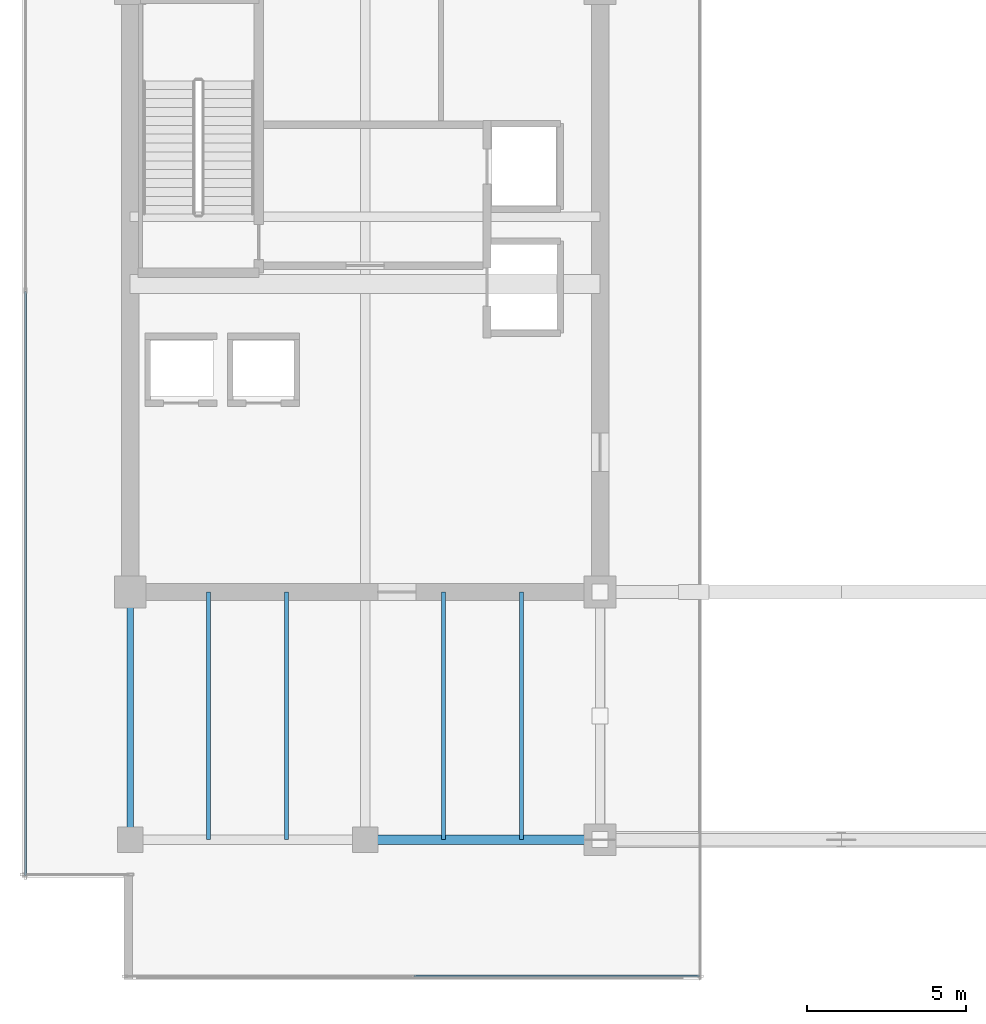
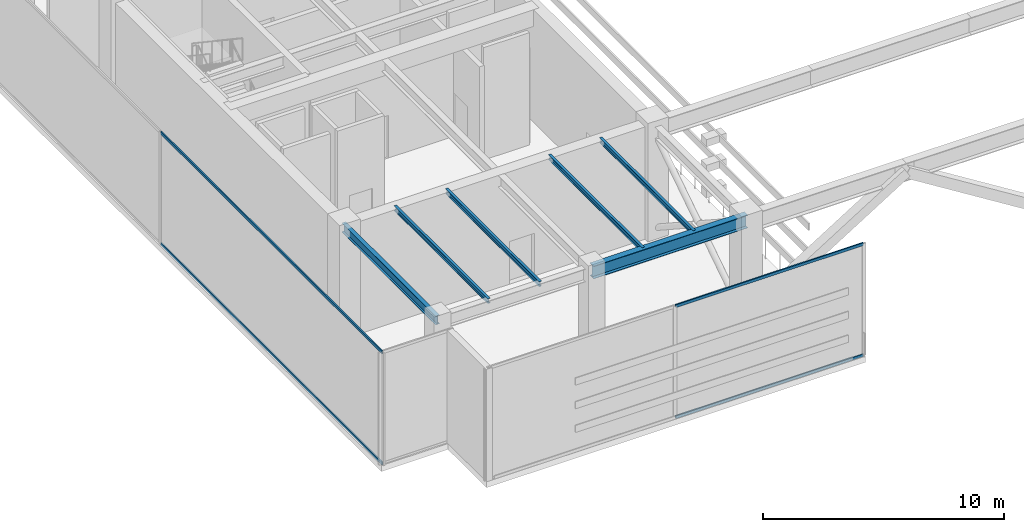
# One storey, part 3 of 30: 6 beams, 4 members, 2 elements without a shape of their own.
"""IFC4 building model written with IfcOpenShell, lengths in metres."""

from ifc_helpers import new_model, si_unit, direction, frame, origin, origin_2d, place, context, subcontext, project, spatial, hollow_rectangle, i_section, extrude, source, transform, mapped, material, layer, layer_set, material_profile, profile_set, type_object, type_shapes, element, aggregate, save


model = new_model("IFC4")

# Units and contexts
model_context = context("Model", 3, precision=1e-05, world=origin(), true_north=direction((0.0, 1.0)))
body_context = subcontext(model_context, "Body", "Model", "MODEL_VIEW")
ifc_project = project(units=[si_unit("LENGTHUNIT", "METRE"), si_unit("AREAUNIT", "SQUARE_METRE"), si_unit("VOLUMEUNIT", "CUBIC_METRE"), si_unit("PLANEANGLEUNIT", "RADIAN"), si_unit("MASSUNIT", "GRAM", prefix="KILO")], contexts=[model_context])

# Site, building, storey
site_placement = place(None, origin())
site = spatial("IfcSite", under=ifc_project, at=site_placement, CompositionType="ELEMENT")
building_placement = place(site_placement, origin())
building = spatial("IfcBuilding", under=site, at=building_placement, Name="Haelvirn Gate Laboratories", CompositionType="ELEMENT")
storey_placement = place(building_placement, frame((0.0, 0.0, 291.60009765625)))
storey = spatial("IfcBuildingStorey", under=building, at=storey_placement, Name="L70", CompositionType="ELEMENT", Elevation=291.60009765625)

# Beams
ifc_material_1 = material(Name="Steel SM355", Category="steel")
ifc_material_profile_1 = material_profile(ifc_material_1, i_section(OverallWidth=0.300048828125, OverallDepth=0.64990234375, WebThickness=0.012939453125, FlangeThickness=0.02197265625, at=origin_2d()), Name="H-650x300x13x22")
ifc_profile_set_1 = profile_set([ifc_material_profile_1], Name="Steel SM355")
beam_type_1 = type_object("IfcBeamType", Name="BM-G-650", PredefinedType="BEAM", material=ifc_profile_set_1)
shared_shape_1 = source(origin(), body_context, "Body", "SweptSolid", [
    extrude(i_section(OverallWidth=0.300048828125, OverallDepth=0.64990234375, WebThickness=0.012939453125, FlangeThickness=0.02197265625, at=origin_2d()), origin(), (0.0, 0.0, 1.0), 7.39990234375),
])
type_shapes(beam_type_1, [shared_shape_1])
beam_1_placement = place(storey_placement, frame((14.800048828125, 7.0, 5.375), z_axis=(1.0, 0.0, 0.0), x_axis=(0.0, 1.0, 0.0)))
element("IfcBeam", 1, at=beam_1_placement, inside=storey, type_object=beam_type_1, Name="L70 Primary Girder Y7.0 (14.8-22.2)", PredefinedType="BEAM", context=body_context, shape_type="MappedRepresentation", body=[
    mapped(shared_shape_1, transform((0.0, 0.0, 0.0), scale=1.0)),
])
ifc_material_profile_2 = material_profile(ifc_material_1, i_section(OverallWidth=0.199951171875, OverallDepth=0.449951171875, WebThickness=0.009033203125, FlangeThickness=0.013916015625, at=origin_2d()), Name="H-450x200x9x14")
ifc_profile_set_2 = profile_set([ifc_material_profile_2], Name="Steel SM355")
beam_type_2 = type_object("IfcBeamType", Name="BM-SP-450", PredefinedType="SPANDREL", material=ifc_profile_set_2)
shared_shape_2 = source(origin(), body_context, "Body", "SweptSolid", [
    extrude(i_section(OverallWidth=0.199951171875, OverallDepth=0.449951171875, WebThickness=0.009033203125, FlangeThickness=0.013916015625, at=origin_2d()), origin(), (0.0, 0.0, 1.0), 7.800048828125),
])
type_shapes(beam_type_2, [shared_shape_2])
beam_2_placement = place(storey_placement, frame((7.39990234375, 7.0, 5.474853515625), z_axis=(0.0, 1.0, 0.0), x_axis=(-1.0, 0.0, 0.0)))
element("IfcBeam", 2, at=beam_2_placement, inside=storey, type_object=beam_type_2, Name="L70 Perimeter Spandrel X7.4 (7.0-14.8)", PredefinedType="SPANDREL", context=body_context, shape_type="MappedRepresentation", body=[
    mapped(shared_shape_2, transform((0.0, 0.0, 0.0), scale=1.0)),
])
ifc_material_profile_3 = material_profile(ifc_material_1, i_section(OverallWidth=0.125, OverallDepth=0.25, WebThickness=0.006103515625, FlangeThickness=0.009033203125, at=origin_2d()), Name="H-250x125x6x9")
ifc_profile_set_3 = profile_set([ifc_material_profile_3], Name="Steel SM355")
beam_type_3 = type_object("IfcBeamType", Name="BM-J-250", PredefinedType="JOIST", material=ifc_profile_set_3)
shared_shape_3 = source(origin(), body_context, "Body", "SweptSolid", [
    extrude(i_section(OverallWidth=0.125, OverallDepth=0.25, WebThickness=0.006103515625, FlangeThickness=0.009033203125, at=origin_2d()), origin(), (0.0, 0.0, 1.0), 7.800048828125),
])
type_shapes(beam_type_3, [shared_shape_3])
for number, where, z_axis, x_axis, name in (
    (3, (9.8701171875, 7.0, 5.574951171875), (0.0, 1.0, 0.0), (-1.0, 0.0, 0.0), "L70 Composite Lab Joist South X9.87"),
    (4, (12.330078125, 7.0, 5.574951171875), (0.0, 1.0, 0.0), (-1.0, 0.0, 0.0), "L70 Composite Lab Joist South X12.33"),
    (5, (17.27001953125, 7.0, 5.574951171875), (0.0, 1.0, 0.0), (-1.0, 0.0, 0.0), "L70 Composite Lab Joist South X17.27"),
    (6, (19.72998046875, 7.0, 5.574951171875), (0.0, 1.0, 0.0), (-1.0, 0.0, 0.0), "L70 Composite Lab Joist South X19.73"),
):
    element("IfcBeam", number, at=place(storey_placement, frame(where, z_axis=z_axis, x_axis=x_axis)), inside=storey, type_object=beam_type_3, Name=name, PredefinedType="JOIST", context=body_context, shape_type="MappedRepresentation", body=[
        mapped(shared_shape_3, transform((0.0, 0.0, 0.0), scale=1.0)),
    ])

# Curtain wall, members
ifc_material_2 = material(Name="Anodised bronze unitised aluminium & triple low-E glass", Category="aluminium")
ifc_layer = layer(ifc_material_2, 0.176025390625, Name="CW-SYS-4")
ifc_layer_set = layer_set([ifc_layer], Name="Anodised bronze unitised aluminium & triple low-E glass")
curtain_wall_type = type_object("IfcCurtainWallType", Name="CW-SYS-4", PredefinedType="NOTDEFINED", material=ifc_layer_set)
curtain_wall_1_placement = place(storey_placement, origin())
curtain_wall_1 = element("IfcCurtainWall", 7, at=curtain_wall_1_placement, inside=storey, type_object=curtain_wall_type, Name="L70 Unitised Curtain Wall CW-L70-P0-E00-1", PredefinedType="NOTDEFINED")
ifc_material_3 = material(Name="Extruded aluminium 6063-T6 (anodised bronze)", Category="aluminium")
ifc_material_profile_4 = material_profile(ifc_material_3, hollow_rectangle(XDim=0.06494140625, YDim=0.139892578125, WallThickness=0.00390625, at=origin_2d()), Name="CWT-140x65x4")
ifc_profile_set_4 = profile_set([ifc_material_profile_4], Name="Extruded aluminium 6063-T6 (anodised bronze)")
member_type = type_object("IfcMemberType", Name="CWT-T140", PredefinedType="USERDEFINED", material=ifc_profile_set_4)
shared_shape_4 = source(origin(), body_context, "Body", "SweptSolid", [
    extrude(hollow_rectangle(XDim=0.06494140625, YDim=0.139892578125, WallThickness=0.00390625, at=origin_2d()), origin(), (0.0, 0.0, 1.0), 8.9951171875),
])
member_1_placement = place(storey_placement, frame((16.3349609375, 2.699951171875, 0.032470703125), z_axis=(1.0, 0.0, 0.0), x_axis=(0.0, 1.0, 0.0)))
member_1 = element("IfcMember", 8, at=member_1_placement, type_object=member_type, Name="CW4 transom 2.1", ObjectType="TRANSOM", PredefinedType="USERDEFINED", context=body_context, shape_type="MappedRepresentation", body=[
    mapped(shared_shape_4, transform((0.0, 0.0, 0.0), scale=1.0)),
])
member_2_placement = place(storey_placement, frame((16.3349609375, 2.699951171875, 5.66748046875), z_axis=(1.0, 0.0, 0.0), x_axis=(0.0, 1.0, 0.0)))
member_2 = element("IfcMember", 9, at=member_2_placement, type_object=member_type, Name="CW4 transom 2.2", ObjectType="TRANSOM", PredefinedType="USERDEFINED", context=body_context, shape_type="MappedRepresentation", body=[
    mapped(shared_shape_4, transform((0.0, 0.0, 0.0), scale=1.0)),
])
aggregate(curtain_wall_1, [member_1, member_2])

curtain_wall_2_placement = place(storey_placement, origin())
curtain_wall_2 = element("IfcCurtainWall", 10, at=curtain_wall_2_placement, inside=storey, type_object=curtain_wall_type, Name="L70 Unitised Curtain Wall CW-L70-P0-E05", PredefinedType="NOTDEFINED")
shared_shape_5 = source(origin(), body_context, "Body", "SweptSolid", [
    extrude(hollow_rectangle(XDim=0.06494140625, YDim=0.139892578125, WallThickness=0.00390625, at=origin_2d()), origin(), (0.0, 0.0, 1.0), 18.394775390625),
])
type_shapes(member_type, [shared_shape_4, shared_shape_5])
member_3_placement = place(storey_placement, frame((4.10009765625, 24.264892578125, 0.032470703125), z_axis=(0.0, -1.0, 0.0), x_axis=(1.0, 0.0, 0.0)))
member_3 = element("IfcMember", 11, at=member_3_placement, type_object=member_type, Name="CW4 transom 2.1", ObjectType="TRANSOM", PredefinedType="USERDEFINED", context=body_context, shape_type="MappedRepresentation", body=[
    mapped(shared_shape_5, transform((0.0, 0.0, 0.0), scale=1.0)),
])
member_4_placement = place(storey_placement, frame((4.10009765625, 24.264892578125, 5.66748046875), z_axis=(0.0, -1.0, 0.0), x_axis=(1.0, 0.0, 0.0)))
member_4 = element("IfcMember", 12, at=member_4_placement, type_object=member_type, Name="CW4 transom 2.2", ObjectType="TRANSOM", PredefinedType="USERDEFINED", context=body_context, shape_type="MappedRepresentation", body=[
    mapped(shared_shape_5, transform((0.0, 0.0, 0.0), scale=1.0)),
])
aggregate(curtain_wall_2, [member_3, member_4])

save(model, "model.ifc")
